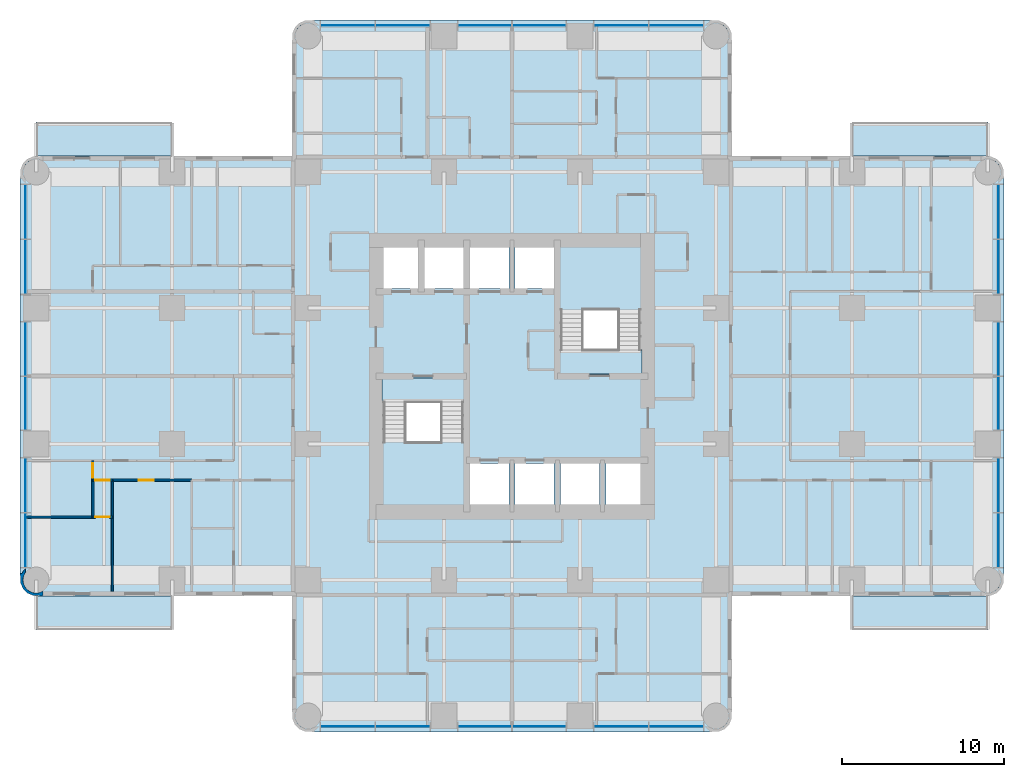
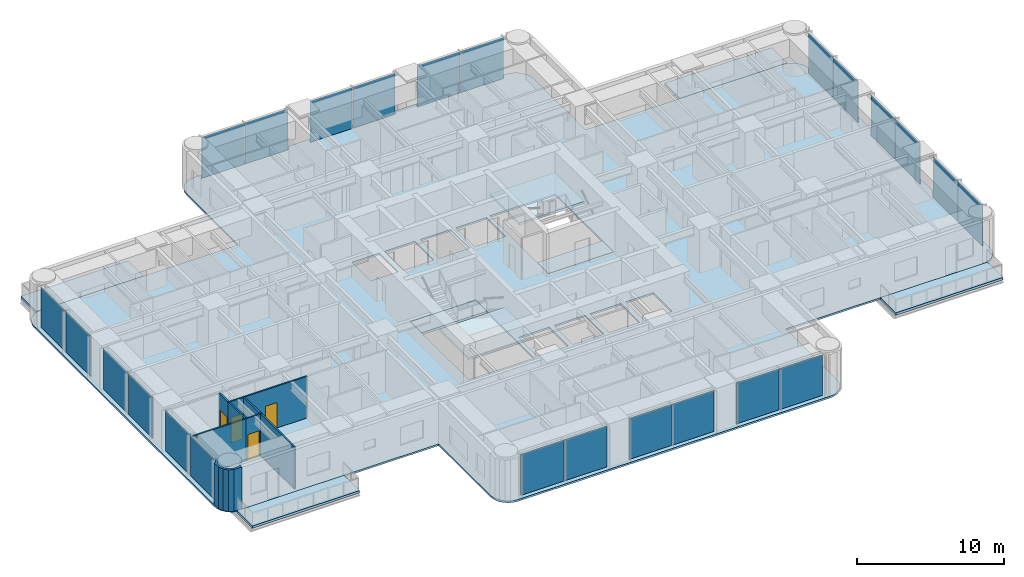
# One storey, part 5 of 14: 24 plates, 9 slabs, 9 walls, 4 doors, 4 openings, 6 elements without a shape of their own.
"""IFC4 building model written with IfcOpenShell, lengths in metres."""

from ifc_helpers import new_model, si_unit, direction, frame, frame_2d, origin, origin_2d, place, context, subcontext, project, spatial, polyline, rectangle, outline, extrude, material, layer, layer_set, type_object, element, fill, aggregate, save


model = new_model("IFC4")

# Units and contexts
model_context = context("Model", 3, precision=1e-05, world=origin(), true_north=direction((0.0, 1.0)))
body_context = subcontext(model_context, "Body", "Model", "MODEL_VIEW")
ifc_project = project(units=[si_unit("LENGTHUNIT", "METRE"), si_unit("AREAUNIT", "SQUARE_METRE"), si_unit("VOLUMEUNIT", "CUBIC_METRE"), si_unit("PLANEANGLEUNIT", "RADIAN"), si_unit("MASSUNIT", "GRAM", prefix="KILO")], contexts=[model_context])

# Site, building, storey
site_placement = place(None, origin())
site = spatial("IfcSite", under=ifc_project, at=site_placement, CompositionType="ELEMENT")
building_placement = place(site_placement, origin())
building = spatial("IfcBuilding", under=site, at=building_placement, Name="Torre Alcanfor", CompositionType="ELEMENT")
storey_placement = place(building_placement, frame((0.0, 0.0, 126.89990234375)))
storey = spatial("IfcBuildingStorey", under=building, at=storey_placement, Name="L32", CompositionType="ELEMENT", Elevation=126.89990234375)

# Slabs
ifc_material_1 = material(Name="Concrete f'c 35 MPa", Category="concrete")
ifc_layer_1 = layer(ifc_material_1, 0.199951171875)
ifc_layer_set_1 = layer_set([ifc_layer_1], Name="Balcony slab 200")
slab_type_1 = type_object("IfcSlabType", Name="Balcony slab 200", PredefinedType="FLOOR", material=ifc_layer_set_1)
slab_1_placement = place(storey_placement, frame((0.0, 0.0, -0.199951171875)))
element("IfcSlab", 1, at=slab_1_placement, inside=storey, type_object=slab_type_1, Name="Balcony L32-E1", PredefinedType="FLOOR", context=body_context, shape_type="SweptSolid", body=[
    extrude(outline(polyline([(50.39990234375, 43.0), (58.800048828125, 43.0), (58.800048828125, 45.10009765625), (50.39990234375, 45.10009765625), (50.39990234375, 43.0)])), origin(), (0.0, 0.0, 1.0), 0.199951171875),
])
slab_2_placement = place(storey_placement, frame((0.0, 0.0, -0.199951171875)))
element("IfcSlab", 2, at=slab_2_placement, inside=storey, type_object=slab_type_1, Name="Balcony L32-E2", PredefinedType="FLOOR", context=body_context, shape_type="SweptSolid", body=[
    extrude(outline(polyline([(50.39990234375, 13.699951171875), (58.800048828125, 13.699951171875), (58.800048828125, 15.800048828125), (50.39990234375, 15.800048828125), (50.39990234375, 13.699951171875)])), origin(), (0.0, 0.0, 1.0), 0.199951171875),
])
slab_3_placement = place(storey_placement, frame((0.0, 0.0, -0.199951171875)))
element("IfcSlab", 3, at=slab_3_placement, inside=storey, type_object=slab_type_1, Name="Balcony L32-W1", PredefinedType="FLOOR", context=body_context, shape_type="SweptSolid", body=[
    extrude(outline(polyline([(8.39990234375, 15.800048828125), (0.0, 15.800048828125), (0.0, 13.699951171875), (8.39990234375, 13.699951171875), (8.39990234375, 15.800048828125)])), origin(), (0.0, 0.0, 1.0), 0.199951171875),
])
slab_4_placement = place(storey_placement, frame((0.0, 0.0, -0.199951171875)))
element("IfcSlab", 4, at=slab_4_placement, inside=storey, type_object=slab_type_1, Name="Balcony L32-W2", PredefinedType="FLOOR", context=body_context, shape_type="SweptSolid", body=[
    extrude(outline(polyline([(8.39990234375, 45.10009765625), (0.0, 45.10009765625), (0.0, 43.0), (8.39990234375, 43.0), (8.39990234375, 45.10009765625)])), origin(), (0.0, 0.0, 1.0), 0.199951171875),
])

# Curtain wall, plates
ifc_material_2 = material(Name="Aluminium and glass", Category="aluminium")
curtain_wall_type = type_object("IfcCurtainWallType", Name="CW-A unitised apartment glazing with vertical FIN", PredefinedType="NOTDEFINED", material=ifc_material_2)
curtain_wall_1_placement = place(storey_placement, origin())
curtain_wall_1 = element("IfcCurtainWall", 5, at=curtain_wall_1_placement, inside=storey, type_object=curtain_wall_type, Name="Curtain wall CW-A L32 2", PredefinedType="NOTDEFINED")
ifc_material_3 = material(Name="Glass", Category="glass")
ifc_layer_2 = layer(ifc_material_3, 0.028076171875)
ifc_layer_set_2 = layer_set([ifc_layer_2], Name="CW-A clear double glazed unit")
plate_type = type_object("IfcPlateType", Name="CW-A clear double glazed unit", PredefinedType="CURTAIN_PANEL", material=ifc_layer_set_2)
plate_1_placement = place(storey_placement, frame((-0.64990234375, 39.541259765625, 0.0), z_axis=(0.0, 0.0, 1.0), x_axis=(0.0, -1.0, 0.0)))
plate_1 = element("IfcPlate", 6, at=plate_1_placement, type_object=plate_type, Name="CW-A panel 1.1.1", PredefinedType="CURTAIN_PANEL", context=body_context, shape_type="SweptSolid", body=[
    extrude(rectangle(XDim=3.337646484375, YDim=0.028076171875, at=origin_2d()), origin(), (0.0, 0.0, 1.0), 3.385009765625),
])
plate_2_placement = place(storey_placement, frame((-0.64990234375, 36.138671875, 0.0), z_axis=(0.0, 0.0, 1.0), x_axis=(0.0, -1.0, 0.0)))
plate_2 = element("IfcPlate", 7, at=plate_2_placement, type_object=plate_type, Name="CW-A panel 1.2.1", PredefinedType="CURTAIN_PANEL", context=body_context, shape_type="SweptSolid", body=[
    extrude(rectangle(XDim=3.337646484375, YDim=0.028076171875, at=origin_2d()), origin(), (0.0, 0.0, 1.0), 3.385009765625),
])
plate_3_placement = place(storey_placement, frame((-0.64990234375, 31.081298828125, 0.0), z_axis=(0.0, 0.0, 1.0), x_axis=(0.0, -1.0, 0.0)))
plate_3 = element("IfcPlate", 8, at=plate_3_placement, type_object=plate_type, Name="CW-A panel 2.1.1", PredefinedType="CURTAIN_PANEL", context=body_context, shape_type="SweptSolid", body=[
    extrude(rectangle(XDim=3.297607421875, YDim=0.028076171875, at=origin_2d()), origin(), (0.0, 0.0, 1.0), 3.385009765625),
])
plate_4_placement = place(storey_placement, frame((-0.64990234375, 27.71875, 0.0), z_axis=(0.0, 0.0, 1.0), x_axis=(0.0, -1.0, 0.0)))
plate_4 = element("IfcPlate", 9, at=plate_4_placement, type_object=plate_type, Name="CW-A panel 2.2.1", PredefinedType="CURTAIN_PANEL", context=body_context, shape_type="SweptSolid", body=[
    extrude(rectangle(XDim=3.297607421875, YDim=0.028076171875, at=origin_2d()), origin(), (0.0, 0.0, 1.0), 3.385009765625),
])
plate_5_placement = place(storey_placement, frame((-0.64990234375, 22.6611328125, 0.0), z_axis=(0.0, 0.0, 1.0), x_axis=(0.0, -1.0, 0.0)))
plate_5 = element("IfcPlate", 10, at=plate_5_placement, type_object=plate_type, Name="CW-A panel 3.1.1", PredefinedType="CURTAIN_PANEL", context=body_context, shape_type="SweptSolid", body=[
    extrude(rectangle(XDim=3.337646484375, YDim=0.028076171875, at=origin_2d()), origin(), (0.0, 0.0, 1.0), 3.385009765625),
])
plate_6_placement = place(storey_placement, frame((-0.64990234375, 19.2587890625, 0.0), z_axis=(0.0, 0.0, 1.0), x_axis=(0.0, -1.0, 0.0)))
plate_6 = element("IfcPlate", 11, at=plate_6_placement, type_object=plate_type, Name="CW-A panel 3.2.1", PredefinedType="CURTAIN_PANEL", context=body_context, shape_type="SweptSolid", body=[
    extrude(rectangle(XDim=3.337646484375, YDim=0.028076171875, at=origin_2d()), origin(), (0.0, 0.0, 1.0), 3.385009765625),
])
aggregate(curtain_wall_1, [plate_1, plate_2, plate_3, plate_4, plate_5, plate_6])

curtain_wall_2_placement = place(storey_placement, origin())
curtain_wall_2 = element("IfcCurtainWall", 12, at=curtain_wall_2_placement, inside=storey, type_object=curtain_wall_type, Name="Curtain wall CW-A L32 5", PredefinedType="NOTDEFINED")
plate_7_placement = place(storey_placement, frame((19.2587890625, 7.75, 0.0), z_axis=(0.0, 0.0, 1.0), x_axis=(1.0, 0.0, 0.0)))
plate_7 = element("IfcPlate", 13, at=plate_7_placement, type_object=plate_type, Name="CW-A panel 1.1.1", PredefinedType="CURTAIN_PANEL", context=body_context, shape_type="SweptSolid", body=[
    extrude(rectangle(XDim=3.337646484375, YDim=0.028076171875, at=origin_2d()), origin(), (0.0, 0.0, 1.0), 3.385009765625),
])
plate_8_placement = place(storey_placement, frame((22.6611328125, 7.75, 0.0), z_axis=(0.0, 0.0, 1.0), x_axis=(1.0, 0.0, 0.0)))
plate_8 = element("IfcPlate", 14, at=plate_8_placement, type_object=plate_type, Name="CW-A panel 1.2.1", PredefinedType="CURTAIN_PANEL", context=body_context, shape_type="SweptSolid", body=[
    extrude(rectangle(XDim=3.337646484375, YDim=0.028076171875, at=origin_2d()), origin(), (0.0, 0.0, 1.0), 3.385009765625),
])
plate_9_placement = place(storey_placement, frame((27.71875, 7.75, 0.0), z_axis=(0.0, 0.0, 1.0), x_axis=(1.0, 0.0, 0.0)))
plate_9 = element("IfcPlate", 15, at=plate_9_placement, type_object=plate_type, Name="CW-A panel 2.1.1", PredefinedType="CURTAIN_PANEL", context=body_context, shape_type="SweptSolid", body=[
    extrude(rectangle(XDim=3.297607421875, YDim=0.028076171875, at=origin_2d()), origin(), (0.0, 0.0, 1.0), 3.385009765625),
])
plate_10_placement = place(storey_placement, frame((31.081298828125, 7.75, 0.0), z_axis=(0.0, 0.0, 1.0), x_axis=(1.0, 0.0, 0.0)))
plate_10 = element("IfcPlate", 16, at=plate_10_placement, type_object=plate_type, Name="CW-A panel 2.2.1", PredefinedType="CURTAIN_PANEL", context=body_context, shape_type="SweptSolid", body=[
    extrude(rectangle(XDim=3.297607421875, YDim=0.028076171875, at=origin_2d()), origin(), (0.0, 0.0, 1.0), 3.385009765625),
])
plate_11_placement = place(storey_placement, frame((36.138671875, 7.75, 0.0), z_axis=(0.0, 0.0, 1.0), x_axis=(1.0, 0.0, 0.0)))
plate_11 = element("IfcPlate", 17, at=plate_11_placement, type_object=plate_type, Name="CW-A panel 3.1.1", PredefinedType="CURTAIN_PANEL", context=body_context, shape_type="SweptSolid", body=[
    extrude(rectangle(XDim=3.337646484375, YDim=0.028076171875, at=origin_2d()), origin(), (0.0, 0.0, 1.0), 3.385009765625),
])
plate_12_placement = place(storey_placement, frame((39.541259765625, 7.75, 0.0), z_axis=(0.0, 0.0, 1.0), x_axis=(1.0, 0.0, 0.0)))
plate_12 = element("IfcPlate", 18, at=plate_12_placement, type_object=plate_type, Name="CW-A panel 3.2.1", PredefinedType="CURTAIN_PANEL", context=body_context, shape_type="SweptSolid", body=[
    extrude(rectangle(XDim=3.337646484375, YDim=0.028076171875, at=origin_2d()), origin(), (0.0, 0.0, 1.0), 3.385009765625),
])
aggregate(curtain_wall_2, [plate_7, plate_8, plate_9, plate_10, plate_11, plate_12])

curtain_wall_3_placement = place(storey_placement, origin())
curtain_wall_3 = element("IfcCurtainWall", 19, at=curtain_wall_3_placement, inside=storey, type_object=curtain_wall_type, Name="Curtain wall CW-A L32 8", PredefinedType="NOTDEFINED")
plate_13_placement = place(storey_placement, frame((59.449951171875, 19.2587890625, 0.0), z_axis=(0.0, 0.0, 1.0), x_axis=(0.0, 1.0, 0.0)))
plate_13 = element("IfcPlate", 20, at=plate_13_placement, type_object=plate_type, Name="CW-A panel 1.1.1", PredefinedType="CURTAIN_PANEL", context=body_context, shape_type="SweptSolid", body=[
    extrude(rectangle(XDim=3.337646484375, YDim=0.028076171875, at=origin_2d()), origin(), (0.0, 0.0, 1.0), 3.385009765625),
])
plate_14_placement = place(storey_placement, frame((59.449951171875, 22.6611328125, 0.0), z_axis=(0.0, 0.0, 1.0), x_axis=(0.0, 1.0, 0.0)))
plate_14 = element("IfcPlate", 21, at=plate_14_placement, type_object=plate_type, Name="CW-A panel 1.2.1", PredefinedType="CURTAIN_PANEL", context=body_context, shape_type="SweptSolid", body=[
    extrude(rectangle(XDim=3.337646484375, YDim=0.028076171875, at=origin_2d()), origin(), (0.0, 0.0, 1.0), 3.385009765625),
])
plate_15_placement = place(storey_placement, frame((59.449951171875, 27.71875, 0.0), z_axis=(0.0, 0.0, 1.0), x_axis=(0.0, 1.0, 0.0)))
plate_15 = element("IfcPlate", 22, at=plate_15_placement, type_object=plate_type, Name="CW-A panel 2.1.1", PredefinedType="CURTAIN_PANEL", context=body_context, shape_type="SweptSolid", body=[
    extrude(rectangle(XDim=3.297607421875, YDim=0.028076171875, at=origin_2d()), origin(), (0.0, 0.0, 1.0), 3.385009765625),
])
plate_16_placement = place(storey_placement, frame((59.449951171875, 31.081298828125, 0.0), z_axis=(0.0, 0.0, 1.0), x_axis=(0.0, 1.0, 0.0)))
plate_16 = element("IfcPlate", 23, at=plate_16_placement, type_object=plate_type, Name="CW-A panel 2.2.1", PredefinedType="CURTAIN_PANEL", context=body_context, shape_type="SweptSolid", body=[
    extrude(rectangle(XDim=3.297607421875, YDim=0.028076171875, at=origin_2d()), origin(), (0.0, 0.0, 1.0), 3.385009765625),
])
plate_17_placement = place(storey_placement, frame((59.449951171875, 36.138671875, 0.0), z_axis=(0.0, 0.0, 1.0), x_axis=(0.0, 1.0, 0.0)))
plate_17 = element("IfcPlate", 24, at=plate_17_placement, type_object=plate_type, Name="CW-A panel 3.1.1", PredefinedType="CURTAIN_PANEL", context=body_context, shape_type="SweptSolid", body=[
    extrude(rectangle(XDim=3.337646484375, YDim=0.028076171875, at=origin_2d()), origin(), (0.0, 0.0, 1.0), 3.385009765625),
])
plate_18_placement = place(storey_placement, frame((59.449951171875, 39.541259765625, 0.0), z_axis=(0.0, 0.0, 1.0), x_axis=(0.0, 1.0, 0.0)))
plate_18 = element("IfcPlate", 25, at=plate_18_placement, type_object=plate_type, Name="CW-A panel 3.2.1", PredefinedType="CURTAIN_PANEL", context=body_context, shape_type="SweptSolid", body=[
    extrude(rectangle(XDim=3.337646484375, YDim=0.028076171875, at=origin_2d()), origin(), (0.0, 0.0, 1.0), 3.385009765625),
])
aggregate(curtain_wall_3, [plate_13, plate_14, plate_15, plate_16, plate_17, plate_18])

curtain_wall_4_placement = place(storey_placement, origin())
curtain_wall_4 = element("IfcCurtainWall", 26, at=curtain_wall_4_placement, inside=storey, type_object=curtain_wall_type, Name="Curtain wall CW-A L32 11", PredefinedType="NOTDEFINED")
plate_19_placement = place(storey_placement, frame((39.541259765625, 51.050048828125, 0.0), z_axis=(0.0, 0.0, 1.0), x_axis=(-1.0, 0.0, 0.0)))
plate_19 = element("IfcPlate", 27, at=plate_19_placement, type_object=plate_type, Name="CW-A panel 1.1.1", PredefinedType="CURTAIN_PANEL", context=body_context, shape_type="SweptSolid", body=[
    extrude(rectangle(XDim=3.337646484375, YDim=0.028076171875, at=origin_2d()), origin(), (0.0, 0.0, 1.0), 3.385009765625),
])
plate_20_placement = place(storey_placement, frame((36.138671875, 51.050048828125, 0.0), z_axis=(0.0, 0.0, 1.0), x_axis=(-1.0, 0.0, 0.0)))
plate_20 = element("IfcPlate", 28, at=plate_20_placement, type_object=plate_type, Name="CW-A panel 1.2.1", PredefinedType="CURTAIN_PANEL", context=body_context, shape_type="SweptSolid", body=[
    extrude(rectangle(XDim=3.337646484375, YDim=0.028076171875, at=origin_2d()), origin(), (0.0, 0.0, 1.0), 3.385009765625),
])
plate_21_placement = place(storey_placement, frame((31.081298828125, 51.050048828125, 0.0), z_axis=(0.0, 0.0, 1.0), x_axis=(-1.0, 0.0, 0.0)))
plate_21 = element("IfcPlate", 29, at=plate_21_placement, type_object=plate_type, Name="CW-A panel 2.1.1", PredefinedType="CURTAIN_PANEL", context=body_context, shape_type="SweptSolid", body=[
    extrude(rectangle(XDim=3.297607421875, YDim=0.028076171875, at=origin_2d()), origin(), (0.0, 0.0, 1.0), 3.385009765625),
])
plate_22_placement = place(storey_placement, frame((27.71875, 51.050048828125, 0.0), z_axis=(0.0, 0.0, 1.0), x_axis=(-1.0, 0.0, 0.0)))
plate_22 = element("IfcPlate", 30, at=plate_22_placement, type_object=plate_type, Name="CW-A panel 2.2.1", PredefinedType="CURTAIN_PANEL", context=body_context, shape_type="SweptSolid", body=[
    extrude(rectangle(XDim=3.297607421875, YDim=0.028076171875, at=origin_2d()), origin(), (0.0, 0.0, 1.0), 3.385009765625),
])
plate_23_placement = place(storey_placement, frame((22.6611328125, 51.050048828125, 0.0), z_axis=(0.0, 0.0, 1.0), x_axis=(-1.0, 0.0, 0.0)))
plate_23 = element("IfcPlate", 31, at=plate_23_placement, type_object=plate_type, Name="CW-A panel 3.1.1", PredefinedType="CURTAIN_PANEL", context=body_context, shape_type="SweptSolid", body=[
    extrude(rectangle(XDim=3.337646484375, YDim=0.028076171875, at=origin_2d()), origin(), (0.0, 0.0, 1.0), 3.385009765625),
])
plate_24_placement = place(storey_placement, frame((19.2587890625, 51.050048828125, 0.0), z_axis=(0.0, 0.0, 1.0), x_axis=(-1.0, 0.0, 0.0)))
plate_24 = element("IfcPlate", 32, at=plate_24_placement, type_object=plate_type, Name="CW-A panel 3.2.1", PredefinedType="CURTAIN_PANEL", context=body_context, shape_type="SweptSolid", body=[
    extrude(rectangle(XDim=3.337646484375, YDim=0.028076171875, at=origin_2d()), origin(), (0.0, 0.0, 1.0), 3.385009765625),
])
aggregate(curtain_wall_4, [plate_19, plate_20, plate_21, plate_22, plate_23, plate_24])

# Slab
ifc_material_4 = material(Name="Concrete f'c 35 MPa", Category="concrete")
ifc_layer_3 = layer(ifc_material_4, 0.14990234375)
ifc_layer_set_3 = layer_set([ifc_layer_3], Name="Composite floor 150 on metal deck")
slab_type_2 = type_object("IfcSlabType", Name="Composite floor 150 on metal deck", PredefinedType="FLOOR", material=ifc_layer_set_3)
slab_5_placement = place(storey_placement, frame((0.0, 0.0, -0.14990234375)))
element("IfcSlab", 33, at=slab_5_placement, inside=storey, type_object=slab_type_2, Name="Floor slab L32", PredefinedType="FLOOR", context=body_context, shape_type="SweptSolid", body=[
    extrude(outline(polyline([(15.800048828125, 43.0), (0.39990234375, 43.0), (0.03759765625, 42.952392578125), (-0.300048828125, 42.8125), (-0.58984375, 42.58984375), (-0.8125, 42.300048828125), (-0.952392578125, 41.96240234375), (-1.0, 41.60009765625), (-1.0, 17.199951171875), (-0.952392578125, 16.837646484375), (-0.8125, 16.5), (-0.58984375, 16.210205078125), (-0.300048828125, 15.987548828125), (0.03759765625, 15.84765625), (0.39990234375, 15.800048828125), (15.800048828125, 15.800048828125), (15.800048828125, 8.800048828125), (15.84765625, 8.437744140625), (15.987548828125, 8.10009765625), (16.210205078125, 7.81005859375), (16.5, 7.587646484375), (16.837646484375, 7.44775390625), (17.199951171875, 7.39990234375), (41.60009765625, 7.39990234375), (41.96240234375, 7.44775390625), (42.300048828125, 7.587646484375), (42.58984375, 7.81005859375), (42.8125, 8.10009765625), (42.952392578125, 8.437744140625), (43.0, 8.800048828125), (43.0, 15.800048828125), (58.39990234375, 15.800048828125), (58.76220703125, 15.84765625), (59.10009765625, 15.987548828125), (59.389892578125, 16.210205078125), (59.6123046875, 16.5), (59.752197265625, 16.837646484375), (59.800048828125, 17.199951171875), (59.800048828125, 41.60009765625), (59.752197265625, 41.96240234375), (59.6123046875, 42.300048828125), (59.389892578125, 42.58984375), (59.10009765625, 42.8125), (58.76220703125, 42.952392578125), (58.39990234375, 43.0), (43.0, 43.0), (43.0, 50.0), (42.952392578125, 50.3623046875), (42.8125, 50.699951171875), (42.58984375, 50.989990234375), (42.300048828125, 51.21240234375), (41.96240234375, 51.352294921875), (41.60009765625, 51.39990234375), (17.199951171875, 51.39990234375), (16.837646484375, 51.352294921875), (16.5, 51.21240234375), (16.210205078125, 50.989990234375), (15.987548828125, 50.699951171875), (15.84765625, 50.3623046875), (15.800048828125, 50.0), (15.800048828125, 43.0)]), holes=[polyline([(21.3701171875, 21.3701171875), (26.47998046875, 21.3701171875), (26.47998046875, 29.280029296875), (21.3701171875, 29.280029296875), (21.3701171875, 21.3701171875)]), polyline([(32.320068359375, 29.52001953125), (37.429931640625, 29.52001953125), (37.429931640625, 37.429931640625), (32.320068359375, 37.429931640625), (32.320068359375, 29.52001953125)]), polyline([(26.800048828125, 21.449951171875), (29.199951171875, 21.449951171875), (29.199951171875, 24.0), (26.800048828125, 24.0), (26.800048828125, 21.449951171875)]), polyline([(29.60009765625, 21.449951171875), (32.0, 21.449951171875), (32.0, 24.0), (29.60009765625, 24.0), (29.60009765625, 21.449951171875)]), polyline([(32.39990234375, 21.449951171875), (34.800048828125, 21.449951171875), (34.800048828125, 24.0), (32.39990234375, 24.0), (32.39990234375, 21.449951171875)]), polyline([(35.199951171875, 21.449951171875), (37.35009765625, 21.449951171875), (37.35009765625, 24.0), (35.199951171875, 24.0), (35.199951171875, 21.449951171875)]), polyline([(21.449951171875, 34.800048828125), (23.60009765625, 34.800048828125), (23.60009765625, 37.35009765625), (21.449951171875, 37.35009765625), (21.449951171875, 34.800048828125)]), polyline([(24.0, 34.800048828125), (26.39990234375, 34.800048828125), (26.39990234375, 37.35009765625), (24.0, 37.35009765625), (24.0, 34.800048828125)]), polyline([(26.800048828125, 34.800048828125), (29.199951171875, 34.800048828125), (29.199951171875, 37.35009765625), (26.800048828125, 37.35009765625), (26.800048828125, 34.800048828125)]), polyline([(29.60009765625, 34.800048828125), (32.0, 34.800048828125), (32.0, 37.35009765625), (29.60009765625, 37.35009765625), (29.60009765625, 34.800048828125)])]), origin(), (0.0, 0.0, 1.0), 0.14990234375),
])

# Stair, slabs
ifc_material_5 = material(Name="Concrete f'c 35 MPa", Category="concrete")
stair_type_1 = type_object("IfcStairType", Name="Exit stair S1 1400 wide", PredefinedType="HALF_TURN_STAIR", material=ifc_material_5)
stair_1_placement = place(storey_placement, origin())
stair_1 = element("IfcStair", 34, at=stair_1_placement, inside=storey, type_object=stair_type_1, Name="Stair S1 L32 to L33", PredefinedType="HALF_TURN_STAIR")
ifc_material_6 = material(Name="Concrete f'c 35 MPa", Category="concrete")
ifc_layer_4 = layer(ifc_material_6, 0.199951171875)
ifc_layer_set_4 = layer_set([ifc_layer_4], Name="Stair landing 200")
slab_type_3 = type_object("IfcSlabType", Name="Stair landing 200", PredefinedType="LANDING", material=ifc_layer_set_4)
slab_6_placement = place(storey_placement, frame((0.0, 0.0, -0.199951171875)))
slab_6 = element("IfcSlab", 35, at=slab_6_placement, type_object=slab_type_3, Name="S1 landing 1", PredefinedType="LANDING", context=body_context, shape_type="SweptSolid", body=[
    extrude(outline(polyline([(21.3701171875, 27.75), (26.47998046875, 27.75), (26.47998046875, 29.280029296875), (21.3701171875, 29.280029296875), (21.3701171875, 27.75)])), origin(), (0.0, 0.0, 1.0), 0.199951171875),
])
slab_7_placement = place(storey_placement, frame((0.0, 0.0, 1.60009765625)))
slab_7 = element("IfcSlab", 36, at=slab_7_placement, type_object=slab_type_3, Name="S1 landing 2", PredefinedType="LANDING", context=body_context, shape_type="SweptSolid", body=[
    extrude(outline(polyline([(21.3701171875, 21.3701171875), (26.47998046875, 21.3701171875), (26.47998046875, 25.330078125), (21.3701171875, 25.330078125), (21.3701171875, 21.3701171875)])), origin(), (0.0, 0.0, 1.0), 0.199951171875),
])
aggregate(stair_1, [slab_6, slab_7])

ifc_material_7 = material(Name="Concrete f'c 35 MPa", Category="concrete")
stair_type_2 = type_object("IfcStairType", Name="Exit stair S2 1400 wide", PredefinedType="HALF_TURN_STAIR", material=ifc_material_7)
stair_2_placement = place(storey_placement, origin())
stair_2 = element("IfcStair", 37, at=stair_2_placement, inside=storey, type_object=stair_type_2, Name="Stair S2 L32 to L33", PredefinedType="HALF_TURN_STAIR")
slab_8_placement = place(storey_placement, frame((0.0, 0.0, -0.199951171875)))
slab_8 = element("IfcSlab", 38, at=slab_8_placement, type_object=slab_type_3, Name="S2 landing 1", PredefinedType="LANDING", context=body_context, shape_type="SweptSolid", body=[
    extrude(outline(polyline([(32.320068359375, 29.52001953125), (37.429931640625, 29.52001953125), (37.429931640625, 31.050048828125), (32.320068359375, 31.050048828125), (32.320068359375, 29.52001953125)])), origin(), (0.0, 0.0, 1.0), 0.199951171875),
])
slab_9_placement = place(storey_placement, frame((0.0, 0.0, 1.60009765625)))
slab_9 = element("IfcSlab", 39, at=slab_9_placement, type_object=slab_type_3, Name="S2 landing 2", PredefinedType="LANDING", context=body_context, shape_type="SweptSolid", body=[
    extrude(outline(polyline([(32.320068359375, 33.469970703125), (37.429931640625, 33.469970703125), (37.429931640625, 37.429931640625), (32.320068359375, 37.429931640625), (32.320068359375, 33.469970703125)])), origin(), (0.0, 0.0, 1.0), 0.199951171875),
])
aggregate(stair_2, [slab_8, slab_9])

# Wall, opening, door
ifc_material_8 = material(Name="Gypsum board on steel studs", Category="steel")
ifc_layer_5 = layer(ifc_material_8, 0.1201171875)
ifc_layer_set_5 = layer_set([ifc_layer_5], Name="Apartment partition 120")
wall_type_1 = type_object("IfcWallType", Name="Apartment partition 120", PredefinedType="PARTITIONING", material=ifc_layer_set_5)
wall_1_placement = place(storey_placement, frame((4.699951171875, 22.970947265625, 0.0), z_axis=(0.0, 0.0, 1.0), x_axis=(1.0, 0.0, 0.0)))
wall_1 = element("IfcWall", 40, at=wall_1_placement, inside=storey, type_object=wall_type_1, Name="Partition L32-W1-HALL / L32-W1-BED3", PredefinedType="PARTITIONING", context=body_context, shape_type="SweptSolid", body=[
    extrude(rectangle(XDim=4.900146484375, YDim=0.1201171875, at=frame_2d((2.4501953125, 0.0))), origin(), (0.0, 0.0, 1.0), 3.4501953125),
])
opening_1_placement = place(wall_1_placement, frame((1.64990234375, 0.0, 0.0)))
opening_1 = element("IfcOpeningElement", 41, at=opening_1_placement, cuts=wall_1, Name="Opening D-R1", PredefinedType="OPENING", context=body_context, shape_type="SweptSolid", body=[
    extrude(rectangle(XDim=0.89990234375, YDim=2.10009765625, at=frame_2d((0.449951171875, 1.050048828125))), frame((0.0, 0.070068359375, 0.0), z_axis=(0.0, -1.0, 0.0), x_axis=(1.0, 0.0, 0.0)), (0.0, 0.0, 1.0), 0.14013671875),
])
ifc_material_9 = material(Name="Timber", Category="wood")
door_type = type_object("IfcDoorType", Name="Internal door 900x2100", OperationType="SINGLE_SWING_LEFT", PredefinedType="DOOR", material=ifc_material_9)
door_1_placement = place(opening_1_placement, frame((0.89990234375, 0.0, 0.0), z_axis=(0.0, 0.0, 1.0), x_axis=(-1.0, 0.0, 0.0)))
door_1 = element("IfcDoor", 42, at=door_1_placement, inside=storey, type_object=door_type, Name="Door L32-W1 bed3", OperationType="SINGLE_SWING_RIGHT", OverallHeight=2.10009765625, OverallWidth=0.89990234375, PredefinedType="DOOR", context=body_context, shape_type="SweptSolid", body=[
    extrude(rectangle(XDim=0.89990234375, YDim=2.10009765625, at=frame_2d((0.449951171875, 1.050048828125))), frame((0.0, 0.025146484375, 0.0), z_axis=(0.0, -1.0, 0.0), x_axis=(1.0, 0.0, 0.0)), (0.0, 0.0, 1.0), 0.050048828125),
])
fill(opening_1, door_1)

wall_2_placement = place(storey_placement, frame((3.5, 22.970947265625, 0.0), z_axis=(0.0, 0.0, 1.0), x_axis=(1.0, 0.0, 0.0)))
wall_2 = element("IfcWall", 43, at=wall_2_placement, inside=storey, type_object=wall_type_1, Name="Partition L32-W1-HALL / L32-W1-VEST", PredefinedType="PARTITIONING", context=body_context, shape_type="SweptSolid", body=[
    extrude(rectangle(XDim=1.199951171875, YDim=0.1201171875, at=frame_2d((0.60009765625, 0.0))), origin(), (0.0, 0.0, 1.0), 3.4501953125),
])
opening_2_placement = place(wall_2_placement, frame((0.14990234375, 0.0, 0.0)))
opening_2 = element("IfcOpeningElement", 44, at=opening_2_placement, cuts=wall_2, Name="Opening D-R1", PredefinedType="OPENING", context=body_context, shape_type="SweptSolid", body=[
    extrude(rectangle(XDim=0.89990234375, YDim=2.10009765625, at=frame_2d((0.449951171875, 1.050048828125))), frame((0.0, 0.070068359375, 0.0), z_axis=(0.0, -1.0, 0.0), x_axis=(1.0, 0.0, 0.0)), (0.0, 0.0, 1.0), 0.14013671875),
])
door_2_placement = place(opening_2_placement, frame((0.89990234375, 0.0, 0.0), z_axis=(0.0, 0.0, 1.0), x_axis=(-1.0, 0.0, 0.0)))
door_2 = element("IfcDoor", 45, at=door_2_placement, inside=storey, type_object=door_type, Name="Door L32-W1 vest", OperationType="SINGLE_SWING_RIGHT", OverallHeight=2.10009765625, OverallWidth=0.89990234375, PredefinedType="DOOR", context=body_context, shape_type="SweptSolid", body=[
    extrude(rectangle(XDim=0.89990234375, YDim=2.10009765625, at=frame_2d((0.449951171875, 1.050048828125))), frame((0.0, 0.025146484375, 0.0), z_axis=(0.0, -1.0, 0.0), x_axis=(1.0, 0.0, 0.0)), (0.0, 0.0, 1.0), 0.050048828125),
])
fill(opening_2, door_2)

wall_3_placement = place(storey_placement, frame((3.5, 24.1708984375, 0.0), z_axis=(0.0, 0.0, 1.0), x_axis=(0.0, -1.0, 0.0)))
wall_3 = element("IfcWall", 46, at=wall_3_placement, inside=storey, type_object=wall_type_1, Name="Partition L32-W1-HALL / L32-W1-BED2", PredefinedType="PARTITIONING", context=body_context, shape_type="SweptSolid", body=[
    extrude(rectangle(XDim=1.199951171875, YDim=0.1201171875, at=frame_2d((0.60009765625, 0.0))), origin(), (0.0, 0.0, 1.0), 3.4501953125),
])
opening_3_placement = place(wall_3_placement, frame((0.15087890625, 0.0, 0.0)))
opening_3 = element("IfcOpeningElement", 47, at=opening_3_placement, cuts=wall_3, Name="Opening D-R1", PredefinedType="OPENING", context=body_context, shape_type="SweptSolid", body=[
    extrude(rectangle(XDim=0.89990234375, YDim=2.10009765625, at=frame_2d((0.449951171875, 1.050048828125))), frame((0.0, 0.070068359375, 0.0), z_axis=(0.0, -1.0, 0.0), x_axis=(1.0, 0.0, 0.0)), (0.0, 0.0, 1.0), 0.14013671875),
])
door_3_placement = place(opening_3_placement, frame((0.89990234375, 0.0, 0.0), z_axis=(0.0, 0.0, 1.0), x_axis=(-1.0, 0.0, 0.0)))
door_3 = element("IfcDoor", 48, at=door_3_placement, inside=storey, type_object=door_type, Name="Door L32-W1 bed2", OperationType="SINGLE_SWING_RIGHT", OverallHeight=2.10009765625, OverallWidth=0.89990234375, PredefinedType="DOOR", context=body_context, shape_type="SweptSolid", body=[
    extrude(rectangle(XDim=0.89990234375, YDim=2.10009765625, at=frame_2d((0.449951171875, 1.050048828125))), frame((0.0, 0.025146484375, 0.0), z_axis=(0.0, -1.0, 0.0), x_axis=(1.0, 0.0, 0.0)), (0.0, 0.0, 1.0), 0.050048828125),
])
fill(opening_3, door_3)

# Walls
wall_4_placement = place(storey_placement, frame((4.699951171875, 22.970947265625, 0.0), z_axis=(0.0, 0.0, 1.0), x_axis=(0.0, -1.0, 0.0)))
element("IfcWall", 49, at=wall_4_placement, inside=storey, type_object=wall_type_1, Name="Partition L32-W1-BED3 / L32-W1-VEST", PredefinedType="PARTITIONING", context=body_context, shape_type="SweptSolid", body=[
    extrude(rectangle(XDim=2.284912109375, YDim=0.1201171875, at=frame_2d((1.142578125, 0.0))), origin(), (0.0, 0.0, 1.0), 3.4501953125),
])
wall_5_placement = place(storey_placement, frame((4.699951171875, 20.68603515625, 0.0), z_axis=(0.0, 0.0, 1.0), x_axis=(0.0, -1.0, 0.0)))
element("IfcWall", 50, at=wall_5_placement, inside=storey, type_object=wall_type_1, Name="Partition L32-W1-BED3 / L32-W1-MASTER", PredefinedType="PARTITIONING", context=body_context, shape_type="SweptSolid", body=[
    extrude(rectangle(XDim=4.5859375, YDim=0.1201171875, at=frame_2d((2.29296875, 0.0))), origin(), (0.0, 0.0, 1.0), 3.4501953125),
])
wall_6_placement = place(storey_placement, frame((3.5, 22.970947265625, 0.0), z_axis=(0.0, 0.0, 1.0), x_axis=(0.0, -1.0, 0.0)))
element("IfcWall", 51, at=wall_6_placement, inside=storey, type_object=wall_type_1, Name="Partition L32-W1-VEST / L32-W1-BED2", PredefinedType="PARTITIONING", context=body_context, shape_type="SweptSolid", body=[
    extrude(rectangle(XDim=2.284912109375, YDim=0.1201171875, at=frame_2d((1.142578125, 0.0))), origin(), (0.0, 0.0, 1.0), 3.4501953125),
])

# Wall, opening, door
wall_7_placement = place(storey_placement, frame((3.5, 20.68603515625, 0.0), z_axis=(0.0, 0.0, 1.0), x_axis=(1.0, 0.0, 0.0)))
wall_7 = element("IfcWall", 52, at=wall_7_placement, inside=storey, type_object=wall_type_1, Name="Partition L32-W1-VEST / L32-W1-MASTER", PredefinedType="PARTITIONING", context=body_context, shape_type="SweptSolid", body=[
    extrude(rectangle(XDim=1.199951171875, YDim=0.1201171875, at=frame_2d((0.60009765625, 0.0))), origin(), (0.0, 0.0, 1.0), 3.4501953125),
])
opening_4_placement = place(wall_7_placement, frame((0.14990234375, 0.0, 0.0)))
opening_4 = element("IfcOpeningElement", 53, at=opening_4_placement, cuts=wall_7, Name="Opening D-R1", PredefinedType="OPENING", context=body_context, shape_type="SweptSolid", body=[
    extrude(rectangle(XDim=0.89990234375, YDim=2.10009765625, at=frame_2d((0.449951171875, 1.050048828125))), frame((0.0, 0.070068359375, 0.0), z_axis=(0.0, -1.0, 0.0), x_axis=(1.0, 0.0, 0.0)), (0.0, 0.0, 1.0), 0.14013671875),
])
door_4_placement = place(opening_4_placement, origin())
door_4 = element("IfcDoor", 54, at=door_4_placement, inside=storey, type_object=door_type, Name="Door L32-W1 master", OperationType="SINGLE_SWING_LEFT", OverallHeight=2.10009765625, OverallWidth=0.89990234375, PredefinedType="DOOR", context=body_context, shape_type="SweptSolid", body=[
    extrude(rectangle(XDim=0.89990234375, YDim=2.10009765625, at=frame_2d((0.449951171875, 1.050048828125))), frame((0.0, 0.02490234375, 0.0), z_axis=(0.0, -1.0, 0.0), x_axis=(1.0, 0.0, 0.0)), (0.0, 0.0, 1.0), 0.050048828125),
])
fill(opening_4, door_4)

# Walls
wall_8_placement = place(storey_placement, frame((-0.64990234375, 20.68603515625, 0.0), z_axis=(0.0, 0.0, 1.0), x_axis=(1.0, 0.0, 0.0)))
element("IfcWall", 55, at=wall_8_placement, inside=storey, type_object=wall_type_1, Name="Partition L32-W1-BED2 / L32-W1-MASTER", PredefinedType="PARTITIONING", context=body_context, shape_type="SweptSolid", body=[
    extrude(rectangle(XDim=4.14990234375, YDim=0.1201171875, at=frame_2d((2.074951171875, 0.0))), origin(), (0.0, 0.0, 1.0), 3.4501953125),
])
ifc_material_10 = material(Name="Limestone cladding", Category="masonry")
ifc_layer_6 = layer(ifc_material_10, 0.0400390625, Name="Facing")
ifc_material_11 = material(Name="Ventilated air cavity")
ifc_layer_7 = layer(ifc_material_11, 0.02001953125, ventilated=True, Name="Ventilated joint")
ifc_material_12 = material(Name="Mineral wool insulation", Category="insulation")
ifc_layer_8 = layer(ifc_material_12, 0.10009765625, Name="Insulation")
ifc_material_13 = material(Name="Concrete f'c 35 MPa", Category="concrete")
ifc_layer_9 = layer(ifc_material_13, 0.139892578125, Name="Backing")
ifc_layer_set_6 = layer_set([ifc_layer_6, ifc_layer_7, ifc_layer_8, ifc_layer_9], Name="Rounded corner pier stone-clad 300")
wall_type_2 = type_object("IfcWallType", Name="Rounded corner pier stone-clad 300", PredefinedType="SOLIDWALL", material=ifc_layer_set_6)
wall_9_placement = place(storey_placement, frame((-0.595317512, 17.448071802, 0.0), z_axis=(0.0, 0.0, 1.0), x_axis=(-0.93923434088, -0.343276641956, 0.0)))
element("IfcWall", 56, at=wall_9_placement, inside=storey, type_object=wall_type_2, Name="Corner pier L32 14", PredefinedType="SOLIDWALL", context=body_context, shape_type="SweptSolid", body=[
    extrude(outline(polyline([(-0.36901687290747565, 1.8895155017116005), (-0.5091640790076659, 1.6212761977701722), (-0.4905903530283585, 1.6144877680830545), (-0.47948243923657013, 1.6086084348003613), (-0.21122522327048593, 1.6199972505432854), (0.08778883447046232, 1.5107119133580826), (0.3225108976454373, 1.2952164137736593), (0.4570343816413681, 1.0061292766156664), (0.470385530542732, 0.6877670550734887), (0.36101638558361415, 0.38852369207353665), (0.14552088599919094, 0.15380162889856172), (0.10803112982284666, 0.13657123594691412), (0.030844170047101382, -0.07461890759558078), (0.24094301513563465, 0.023009904898978376), (0.3335722649355225, 0.12354205241220817), (0.46526570659148436, 0.09412537095504334), (0.5319165148651629, 0.3931255880778293), (0.6305582647631567, 0.6630178779252955), (0.6143066479271062, 1.0445648337608835), (0.4533864294189357, 1.390867848169107), (0.172157378959642, 1.6490946263605986), (-0.09750560562882049, 1.747652568484677), (-0.36901687290747565, 1.8895155017116005)])), origin(), (0.0, 0.0, 1.0), 3.4501953125),
])

save(model, "model.ifc")
